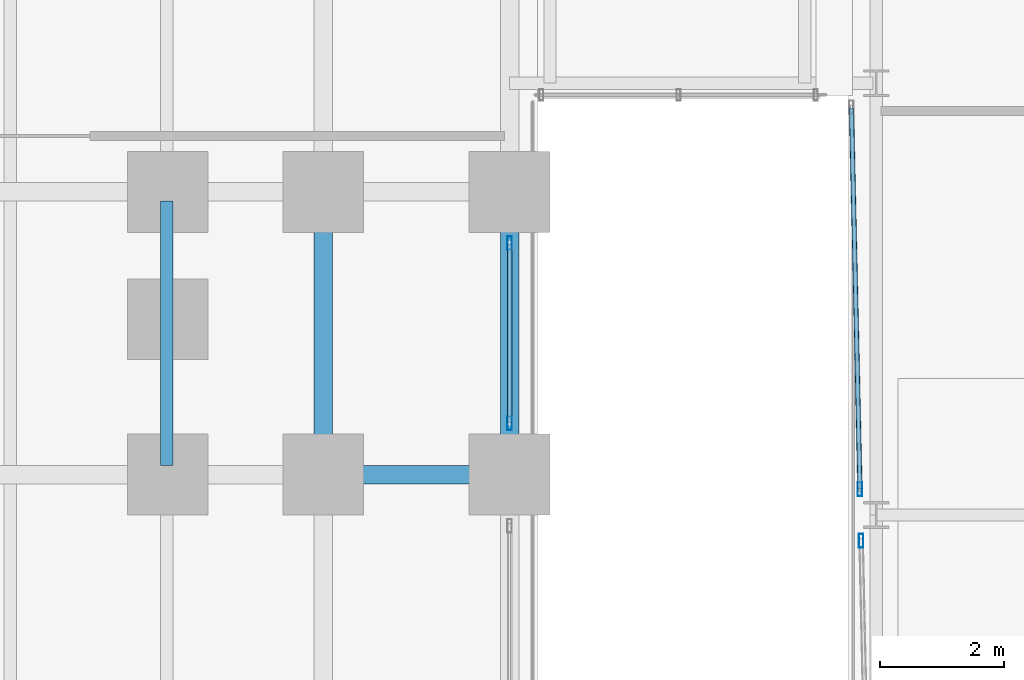
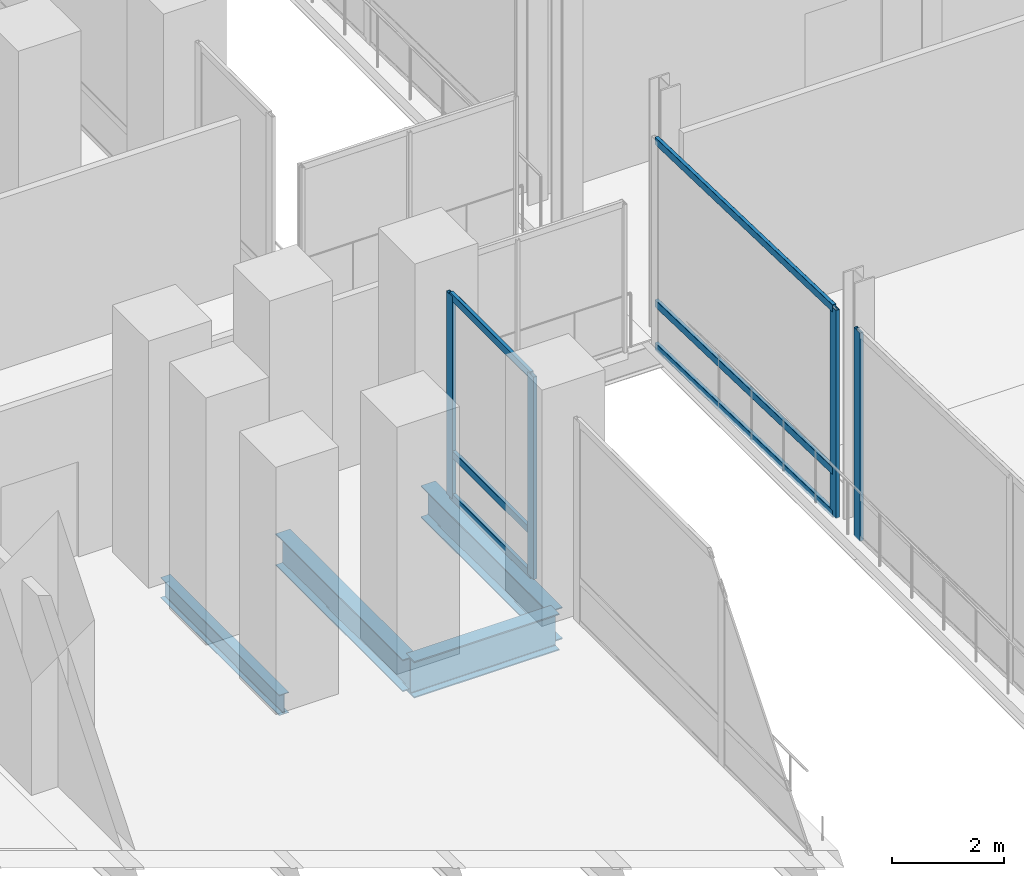
# One storey, part 12 of 30: 10 members, 4 beams, 3 elements without a shape of their own.
"""IFC4 building model written with IfcOpenShell, lengths in metres."""

from ifc_helpers import new_model, si_unit, direction, frame, origin, origin_2d, place, context, subcontext, project, spatial, hollow_rectangle, i_section, extrude, material, material_profile, profile_set, type_object, element, aggregate, save


model = new_model("IFC4")

# Units and contexts
model_context = context("Model", 3, precision=1e-05, world=origin(), true_north=direction((0.0, 1.0)))
body_context = subcontext(model_context, "Body", "Model", "MODEL_VIEW")
ifc_project = project(units=[si_unit("LENGTHUNIT", "METRE"), si_unit("AREAUNIT", "SQUARE_METRE"), si_unit("VOLUMEUNIT", "CUBIC_METRE"), si_unit("PLANEANGLEUNIT", "RADIAN"), si_unit("MASSUNIT", "GRAM", prefix="KILO")], contexts=[model_context])

# Site, building, storey
site_placement = place(None, origin())
site = spatial("IfcSite", under=ifc_project, at=site_placement, CompositionType="ELEMENT")
building_placement = place(site_placement, origin())
building = spatial("IfcBuilding", under=site, at=building_placement, Name="Noeulbin Bourse Tower", CompositionType="ELEMENT")
storey_placement = place(building_placement, frame((0.0, 0.0, 16.60009765625)))
storey = spatial("IfcBuildingStorey", under=building, at=storey_placement, Name="L04", CompositionType="ELEMENT", Elevation=16.60009765625)

# Beams
ifc_material_1 = material(Name="Steel S355", Category="steel")
ifc_material_profile_1 = material_profile(ifc_material_1, i_section(OverallWidth=0.300048828125, OverallDepth=0.699951171875, WebThickness=0.012939453125, FlangeThickness=0.02392578125, FilletRadius=0.02392578125, at=origin_2d()), Name="H-700x300x13x24", Category="LoadBearing")
ifc_profile_set_1 = profile_set([ifc_material_profile_1], Name="Steel S355")
beam_type_1 = type_object("IfcBeamType", Name="BM-GRD-700", PredefinedType="USERDEFINED", material=ifc_profile_set_1)
for number, where, z_axis, x_axis, name in (
    (1, (51.550048828125, 15.449951171875, -0.60009765625), (0.0, 1.0, 0.0), (-1.0, 0.0, 0.0), "Podium Primary Girder NS L04-097"),
    (2, (54.550048828125, 15.449951171875, -0.60009765625), (0.0, 1.0, 0.0), (-1.0, 0.0, 0.0), "Podium Primary Girder NS L04-103"),
):
    element("IfcBeam", number, at=place(storey_placement, frame(where, z_axis=z_axis, x_axis=x_axis)), inside=storey, type_object=beam_type_1, Name=name, ObjectType="GIRDER", PredefinedType="USERDEFINED", context=body_context, shape_type="SweptSolid", body=[
        extrude(i_section(OverallWidth=0.300048828125, OverallDepth=0.699951171875, WebThickness=0.012939453125, FlangeThickness=0.02392578125, FilletRadius=0.02392578125, at=origin_2d()), origin(), (0.0, 0.0, 1.0), 4.550048828125),
    ])
ifc_material_profile_2 = material_profile(ifc_material_1, i_section(OverallWidth=0.300048828125, OverallDepth=0.800048828125, WebThickness=0.013916015625, FlangeThickness=0.02587890625, FilletRadius=0.02587890625, at=origin_2d()), Name="H-800x300x14x26", Category="LoadBearing")
ifc_profile_set_2 = profile_set([ifc_material_profile_2], Name="Steel S355")
beam_type_2 = type_object("IfcBeamType", Name="BM-GRD-800", PredefinedType="USERDEFINED", material=ifc_profile_set_2)
beam_1_placement = place(storey_placement, frame((51.550048828125, 15.449951171875, -0.650146484375), z_axis=(1.0, 0.0, 0.0), x_axis=(0.0, 1.0, 0.0)))
element("IfcBeam", 3, at=beam_1_placement, inside=storey, type_object=beam_type_2, Name="Podium Primary Girder EW L04-016", ObjectType="GIRDER", PredefinedType="USERDEFINED", context=body_context, shape_type="SweptSolid", body=[
    extrude(i_section(OverallWidth=0.300048828125, OverallDepth=0.800048828125, WebThickness=0.013916015625, FlangeThickness=0.02587890625, FilletRadius=0.02587890625, at=origin_2d()), origin(), (0.0, 0.0, 1.0), 3.0),
])
ifc_material_profile_3 = material_profile(ifc_material_1, i_section(OverallWidth=0.199951171875, OverallDepth=0.449951171875, WebThickness=0.009033203125, FlangeThickness=0.013916015625, FilletRadius=0.01806640625, at=origin_2d()), Name="H-450x200x9x14", Category="LoadBearing")
ifc_profile_set_3 = profile_set([ifc_material_profile_3], Name="Steel S355")
beam_type_3 = type_object("IfcBeamType", Name="BM-SEC-450", PredefinedType="BEAM", material=ifc_profile_set_3)
beam_2_placement = place(storey_placement, frame((49.033203125, 15.60009765625, -0.47509765625), z_axis=(0.0, 1.0, 0.0), x_axis=(-1.0, 0.0, 0.0)))
element("IfcBeam", 4, at=beam_2_placement, inside=storey, type_object=beam_type_3, Name="Podium Secondary Beam L04-080", PredefinedType="BEAM", context=body_context, shape_type="SweptSolid", body=[
    extrude(i_section(OverallWidth=0.199951171875, OverallDepth=0.449951171875, WebThickness=0.009033203125, FlangeThickness=0.013916015625, FilletRadius=0.01806640625, at=origin_2d()), origin(), (0.0, 0.0, 1.0), 4.25),
])

# Curtain wall, members
ifc_material_2 = material(Name="Laminated Clear Low-E Glass", Category="glass")
curtain_wall_type = type_object("IfcCurtainWallType", Name="CW-SYS-1", PredefinedType="NOTDEFINED", material=ifc_material_2)
curtain_wall_1_placement = place(storey_placement, origin())
curtain_wall_1 = element("IfcCurtainWall", 5, at=curtain_wall_1_placement, inside=storey, type_object=curtain_wall_type, Name="Unitised Curtain Wall CW-L04-POD-E1-S2", PredefinedType="NOTDEFINED")
ifc_material_3 = material(Name="Anodised Aluminium 6063-T6", Category="aluminium")
ifc_material_profile_4 = material_profile(ifc_material_3, hollow_rectangle(XDim=0.074951171875, YDim=0.219970703125, WallThickness=0.0048828125, InnerFilletRadius=0.00244140625, OuterFilletRadius=0.0048828125, at=origin_2d()), Name="ALU-MULL-75x220x5", Category="LoadBearing")
ifc_profile_set_4 = profile_set([ifc_material_profile_4], Name="Anodised Aluminium 6063-T6")
member_type_1 = type_object("IfcMemberType", Name="CW-SYS-1-MUL", PredefinedType="MULLION", material=ifc_profile_set_4)
member_1_placement = place(storey_placement, frame((54.550048828125, 16.27490234375, -0.02001953125), z_axis=(0.0, 0.0, 1.0), x_axis=(1.0, 0.0, 0.0)))
member_1 = element("IfcMember", 6, at=member_1_placement, type_object=member_type_1, Name="Curtain Wall Mullion CW-L04-POD-E1-S2-M00", PredefinedType="MULLION", context=body_context, shape_type="SweptSolid", body=[
    extrude(hollow_rectangle(XDim=0.074951171875, YDim=0.219970703125, WallThickness=0.0048828125, InnerFilletRadius=0.00244140625, OuterFilletRadius=0.0048828125, at=origin_2d()), origin(), (0.0, 0.0, 1.0), 4.419921875),
])
member_2_placement = place(storey_placement, frame((54.550048828125, 19.175048828125, -0.02001953125), z_axis=(0.0, 0.0, 1.0), x_axis=(1.0, 0.0, 0.0)))
member_2 = element("IfcMember", 7, at=member_2_placement, type_object=member_type_1, Name="Curtain Wall Mullion CW-L04-POD-E1-S2-M01", PredefinedType="MULLION", context=body_context, shape_type="SweptSolid", body=[
    extrude(hollow_rectangle(XDim=0.074951171875, YDim=0.219970703125, WallThickness=0.0048828125, InnerFilletRadius=0.00244140625, OuterFilletRadius=0.0048828125, at=origin_2d()), origin(), (0.0, 0.0, 1.0), 4.419921875),
])

# Curtain wall, member
curtain_wall_2_placement = place(storey_placement, origin())
curtain_wall_2 = element("IfcCurtainWall", 8, at=curtain_wall_2_placement, inside=storey, type_object=curtain_wall_type, Name="Unitised Curtain Wall CW-L04-MKT-W1-S1", PredefinedType="NOTDEFINED")
member_3_placement = place(storey_placement, frame((60.206298828125, 14.385986328125, -0.02001953125), z_axis=(0.0, 0.0, 1.0), x_axis=(1.0, 0.0, 0.0)))
member_3 = element("IfcMember", 9, at=member_3_placement, type_object=member_type_1, Name="Curtain Wall Mullion CW-L04-MKT-W1-S1-M02", PredefinedType="MULLION", context=body_context, shape_type="SweptSolid", body=[
    extrude(hollow_rectangle(XDim=0.074951171875, YDim=0.219970703125, WallThickness=0.0048828125, InnerFilletRadius=0.00244140625, OuterFilletRadius=0.0048828125, at=origin_2d()), origin(), (0.0, 0.0, 1.0), 4.5498046875),
])
aggregate(curtain_wall_2, [member_3])

curtain_wall_3_placement = place(storey_placement, origin())
curtain_wall_3 = element("IfcCurtainWall", 10, at=curtain_wall_3_placement, inside=storey, type_object=curtain_wall_type, Name="Unitised Curtain Wall CW-L04-MKT-W1-S2", PredefinedType="NOTDEFINED")
member_4_placement = place(storey_placement, frame((60.187744140625, 15.214111328125, -0.02001953125), z_axis=(0.0, 0.0, 1.0), x_axis=(1.0, 0.0, 0.0)))
member_4 = element("IfcMember", 11, at=member_4_placement, type_object=member_type_1, Name="Curtain Wall Mullion CW-L04-MKT-W1-S2-M00", PredefinedType="MULLION", context=body_context, shape_type="SweptSolid", body=[
    extrude(hollow_rectangle(XDim=0.074951171875, YDim=0.219970703125, WallThickness=0.0048828125, InnerFilletRadius=0.00244140625, OuterFilletRadius=0.0048828125, at=origin_2d()), origin(), (0.0, 0.0, 1.0), 4.5498046875),
])

# Member
ifc_material_profile_5 = material_profile(ifc_material_3, hollow_rectangle(XDim=0.074951171875, YDim=0.159912109375, WallThickness=0.0048828125, InnerFilletRadius=0.00244140625, OuterFilletRadius=0.0048828125, at=origin_2d()), Name="ALU-TRAN-75x160x5", Category="LoadBearing")
ifc_profile_set_5 = profile_set([ifc_material_profile_5], Name="Anodised Aluminium 6063-T6")
member_type_2 = type_object("IfcMemberType", Name="CW-SYS-1-TRN", PredefinedType="USERDEFINED", material=ifc_profile_set_5)
member_5_placement = place(storey_placement, frame((54.550048828125, 16.284912109375, 0.010009765625), z_axis=(0.0, 1.0, 0.0), x_axis=(-1.0, 0.0, 0.0)))
member_5 = element("IfcMember", 12, at=member_5_placement, type_object=member_type_2, Name="Curtain Wall Transom CW-L04-POD-E1-S2-T00", ObjectType="TRANSOM", PredefinedType="USERDEFINED", context=body_context, shape_type="SweptSolid", body=[
    extrude(hollow_rectangle(XDim=0.074951171875, YDim=0.159912109375, WallThickness=0.0048828125, InnerFilletRadius=0.00244140625, OuterFilletRadius=0.0048828125, at=origin_2d()), origin(), (0.0, 0.0, 1.0), 2.880126953125),
])

member_6_placement = place(storey_placement, frame((54.550048828125, 16.284912109375, 0.949951171875), z_axis=(0.0, 1.0, 0.0), x_axis=(-1.0, 0.0, 0.0)))
member_6 = element("IfcMember", 13, at=member_6_placement, type_object=member_type_2, Name="Curtain Wall Transom CW-L04-POD-E1-S2-T01", ObjectType="TRANSOM", PredefinedType="USERDEFINED", context=body_context, shape_type="SweptSolid", body=[
    extrude(hollow_rectangle(XDim=0.074951171875, YDim=0.159912109375, WallThickness=0.0048828125, InnerFilletRadius=0.00244140625, OuterFilletRadius=0.0048828125, at=origin_2d()), origin(), (0.0, 0.0, 1.0), 2.880126953125),
])

member_7_placement = place(storey_placement, frame((54.550048828125, 16.284912109375, 4.369873046875), z_axis=(0.0, 1.0, 0.0), x_axis=(-1.0, 0.0, 0.0)))
member_7 = element("IfcMember", 14, at=member_7_placement, type_object=member_type_2, Name="Curtain Wall Transom CW-L04-POD-E1-S2-T02", ObjectType="TRANSOM", PredefinedType="USERDEFINED", context=body_context, shape_type="SweptSolid", body=[
    extrude(hollow_rectangle(XDim=0.074951171875, YDim=0.159912109375, WallThickness=0.0048828125, InnerFilletRadius=0.00244140625, OuterFilletRadius=0.0048828125, at=origin_2d()), origin(), (0.0, 0.0, 1.0), 2.880126953125),
])

aggregate(curtain_wall_1, [member_1, member_2, member_5, member_6, member_7])

member_8_placement = place(storey_placement, frame((60.1875, 15.22412109375, 0.010009765625), z_axis=(-0.022272490553, 0.999751937315, 0.0), x_axis=(-0.999751937315, -0.022272490553, 0.0)))
member_8 = element("IfcMember", 15, at=member_8_placement, type_object=member_type_2, Name="Curtain Wall Transom CW-L04-MKT-W1-S2-T00", ObjectType="TRANSOM", PredefinedType="USERDEFINED", context=body_context, shape_type="SweptSolid", body=[
    extrude(hollow_rectangle(XDim=0.074951171875, YDim=0.159912109375, WallThickness=0.0048828125, InnerFilletRadius=0.00244140625, OuterFilletRadius=0.0048828125, at=origin_2d()), origin(), (0.0, 0.0, 1.0), 6.12744140625),
])

member_9_placement = place(storey_placement, frame((60.1875, 15.22412109375, 0.949951171875), z_axis=(-0.022272490553, 0.999751937315, 0.0), x_axis=(-0.999751937315, -0.022272490553, 0.0)))
member_9 = element("IfcMember", 16, at=member_9_placement, type_object=member_type_2, Name="Curtain Wall Transom CW-L04-MKT-W1-S2-T01", ObjectType="TRANSOM", PredefinedType="USERDEFINED", context=body_context, shape_type="SweptSolid", body=[
    extrude(hollow_rectangle(XDim=0.074951171875, YDim=0.159912109375, WallThickness=0.0048828125, InnerFilletRadius=0.00244140625, OuterFilletRadius=0.0048828125, at=origin_2d()), origin(), (0.0, 0.0, 1.0), 6.12744140625),
])

member_10_placement = place(storey_placement, frame((60.1875, 15.22412109375, 4.5), z_axis=(-0.022272490553, 0.999751937315, 0.0), x_axis=(-0.999751937315, -0.022272490553, 0.0)))
member_10 = element("IfcMember", 17, at=member_10_placement, type_object=member_type_2, Name="Curtain Wall Transom CW-L04-MKT-W1-S2-T02", ObjectType="TRANSOM", PredefinedType="USERDEFINED", context=body_context, shape_type="SweptSolid", body=[
    extrude(hollow_rectangle(XDim=0.074951171875, YDim=0.159912109375, WallThickness=0.0048828125, InnerFilletRadius=0.00244140625, OuterFilletRadius=0.0048828125, at=origin_2d()), origin(), (0.0, 0.0, 1.0), 6.12744140625),
])

aggregate(curtain_wall_3, [member_4, member_8, member_9, member_10])

save(model, "model.ifc")
